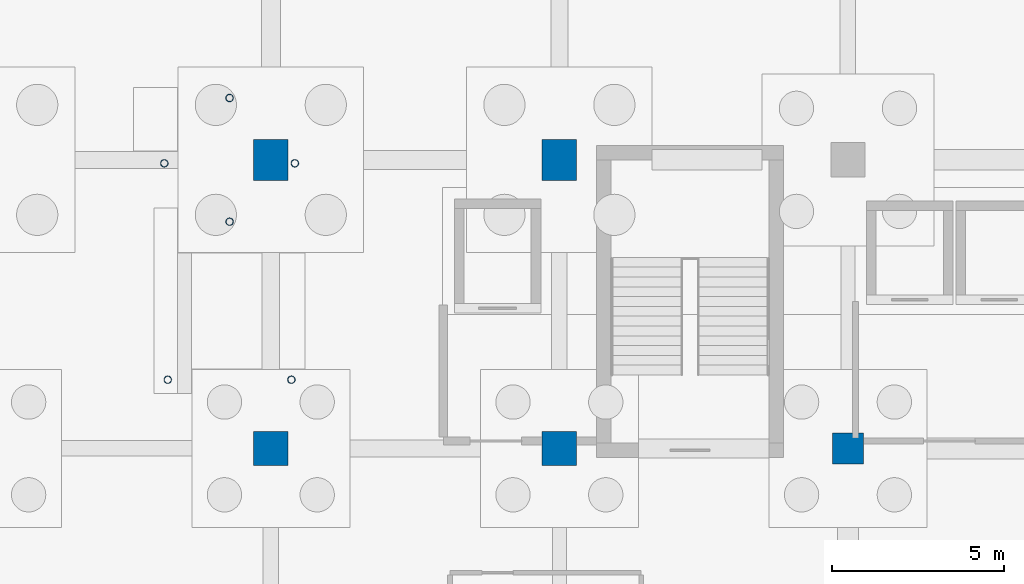
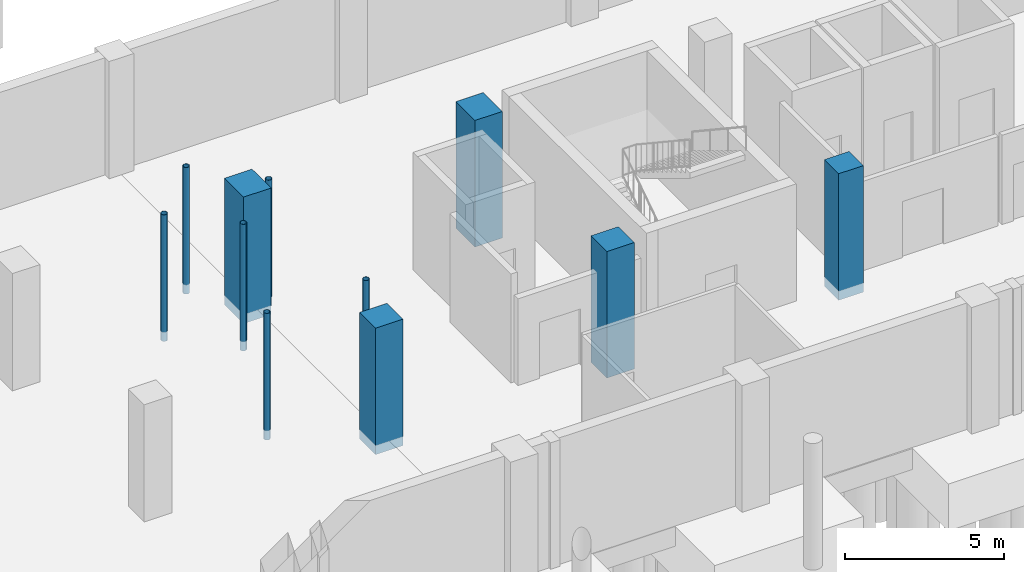
# One storey, part 13 of 39: 11 columns.
"""IFC4 building model written with IfcOpenShell, lengths in metres."""

from ifc_helpers import new_model, si_unit, derived_unit, direction, frame, origin, origin_2d, place, context, subcontext, project, spatial, rectangle, hollow_circle, extrude, material, material_profile, profile_set, type_object, element, save


model = new_model("IFC4")

# Units and contexts
model_context = context("Model", 3, precision=1e-05, world=origin(), true_north=direction((0.0, 1.0)))
body_context = subcontext(model_context, "Body", "Model", "MODEL_VIEW")
ifc_project = project(units=[si_unit("LENGTHUNIT", "METRE"), si_unit("AREAUNIT", "SQUARE_METRE"), si_unit("VOLUMEUNIT", "CUBIC_METRE"), si_unit("PLANEANGLEUNIT", "RADIAN"), si_unit("MASSUNIT", "GRAM", prefix="KILO"), derived_unit("THERMALTRANSMITTANCEUNIT", [(si_unit("POWERUNIT", "WATT"), 1), (si_unit("LENGTHUNIT", "METRE"), -2), (si_unit("THERMODYNAMICTEMPERATUREUNIT", "KELVIN"), -1)])], contexts=[model_context])

# Site, building, storey
site_placement = place(None, origin())
site = spatial("IfcSite", under=ifc_project, at=site_placement, CompositionType="ELEMENT")
building_placement = place(site_placement, origin())
building = spatial("IfcBuilding", under=site, at=building_placement, Name="Barrovel Congress Hotel", CompositionType="ELEMENT")
storey_placement = place(building_placement, frame((0.0, 0.0, -4.5)))
storey = spatial("IfcBuildingStorey", under=building, at=storey_placement, Name="B01", CompositionType="ELEMENT", Elevation=-4.5)

# Columns
ifc_material_1 = material(Name="Concrete C50", Category="concrete")
ifc_material_profile_1 = material_profile(ifc_material_1, rectangle(XDim=1.0, YDim=1.0, at=origin_2d()), Name="RC1000x1000")
ifc_profile_set_1 = profile_set([ifc_material_profile_1], Name="Concrete C50")
column_type_1 = type_object("IfcColumnType", Name="COL-RC1000x1000", PredefinedType="COLUMN", material=ifc_profile_set_1)
for number, where, z_axis, x_axis, name in (
    (1, (67.199951171875, 12.60009765625, -0.360107421875), (0.0, 0.0, 1.0), (1.0, 0.0, 0.0), "COL:B01:67.2:12.6"),
    (2, (75.60009765625, 12.60009765625, -0.360107421875), (0.0, 0.0, 1.0), (1.0, 0.0, 0.0), "COL:B01:75.6:12.6"),
):
    element("IfcColumn", number, at=place(storey_placement, frame(where, z_axis=z_axis, x_axis=x_axis)), inside=storey, type_object=column_type_1, Name=name, PredefinedType="COLUMN", context=body_context, shape_type="SweptSolid", body=[
        extrude(rectangle(XDim=1.0, YDim=1.0, at=origin_2d()), origin(), (0.0, 0.0, 1.0), 4.860107421875),
    ])
ifc_material_profile_2 = material_profile(ifc_material_1, rectangle(XDim=1.0, YDim=1.199951171875, at=origin_2d()), Name="RC1000x1200")
ifc_profile_set_2 = profile_set([ifc_material_profile_2], Name="Concrete C50")
column_type_2 = type_object("IfcColumnType", Name="COL-RC1000x1200", PredefinedType="COLUMN", material=ifc_profile_set_2)
for number, where, z_axis, x_axis, name in (
    (3, (67.199951171875, 21.0, -0.360107421875), (0.0, 0.0, 1.0), (1.0, 0.0, 0.0), "COL:B01:67.2:21.0"),
    (4, (75.60009765625, 21.0, -0.360107421875), (0.0, 0.0, 1.0), (1.0, 0.0, 0.0), "COL:B01:75.6:21.0"),
):
    element("IfcColumn", number, at=place(storey_placement, frame(where, z_axis=z_axis, x_axis=x_axis)), inside=storey, type_object=column_type_2, Name=name, PredefinedType="COLUMN", context=body_context, shape_type="SweptSolid", body=[
        extrude(rectangle(XDim=1.0, YDim=1.199951171875, at=origin_2d()), origin(), (0.0, 0.0, 1.0), 4.860107421875),
    ])
ifc_material_2 = material(Name="Concrete C40", Category="concrete")
ifc_material_profile_3 = material_profile(ifc_material_2, rectangle(XDim=0.89990234375, YDim=0.89990234375, at=origin_2d()), Name="RC900x900")
ifc_profile_set_3 = profile_set([ifc_material_profile_3], Name="Concrete C40")
column_type_3 = type_object("IfcColumnType", Name="COL-RC900x900", PredefinedType="COLUMN", material=ifc_profile_set_3)
column_placement = place(storey_placement, frame((84.0, 12.60009765625, -0.360107421875), z_axis=(0.0, 0.0, 1.0), x_axis=(1.0, 0.0, 0.0)))
element("IfcColumn", 5, at=column_placement, inside=storey, type_object=column_type_3, Name="COL:B01:84.0:12.6", PredefinedType="COLUMN", context=body_context, shape_type="SweptSolid", body=[
    extrude(rectangle(XDim=0.89990234375, YDim=0.89990234375, at=origin_2d()), origin(), (0.0, 0.0, 1.0), 4.860107421875),
])
ifc_material_3 = material(Name="Steel ASTM A500 Grade C", Category="steel")
ifc_material_profile_4 = material_profile(ifc_material_3, hollow_circle(Radius=0.109619140625, WallThickness=0.0087890625, at=origin_2d()), Name="CHS219.1x9.5")
ifc_profile_set_4 = profile_set([ifc_material_profile_4], Name="Steel ASTM A500 Grade C")
column_type_4 = type_object("IfcColumnType", Name="SCOL-CHS219.1x9.5", PredefinedType="COLUMN", material=ifc_profile_set_4)
for number, where, z_axis, x_axis, name in (
    (6, (64.199951171875, 14.60009765625, -0.360107421875), (0.0, 0.0, 1.0), (1.0, 0.0, 0.0), "COL:ATR-LDG1:B01:1"),
    (7, (67.800048828125, 14.60009765625, -0.360107421875), (0.0, 0.0, 1.0), (1.0, 0.0, 0.0), "COL:ATR-LDG1:B01:2"),
    (8, (66.0, 19.199951171875, -0.360107421875), (0.0, 0.0, 1.0), (1.0, 0.0, 0.0), "COL:ATR-LDG1:B01:3"),
    (9, (64.10009765625, 20.89990234375, -0.360107421875), (0.0, 0.0, 1.0), (1.0, 0.0, 0.0), "COL:ATR-LDG2:B01:1"),
    (10, (67.89990234375, 20.89990234375, -0.360107421875), (0.0, 0.0, 1.0), (1.0, 0.0, 0.0), "COL:ATR-LDG2:B01:2"),
    (11, (66.0, 22.800048828125, -0.360107421875), (0.0, 0.0, 1.0), (1.0, 0.0, 0.0), "COL:ATR-LDG2:B01:3"),
):
    element("IfcColumn", number, at=place(storey_placement, frame(where, z_axis=z_axis, x_axis=x_axis)), inside=storey, type_object=column_type_4, Name=name, PredefinedType="COLUMN", context=body_context, shape_type="SweptSolid", body=[
        extrude(hollow_circle(Radius=0.109619140625, WallThickness=0.0087890625, at=origin_2d()), origin(), (0.0, 0.0, 1.0), 4.860107421875),
    ])

save(model, "model.ifc")
